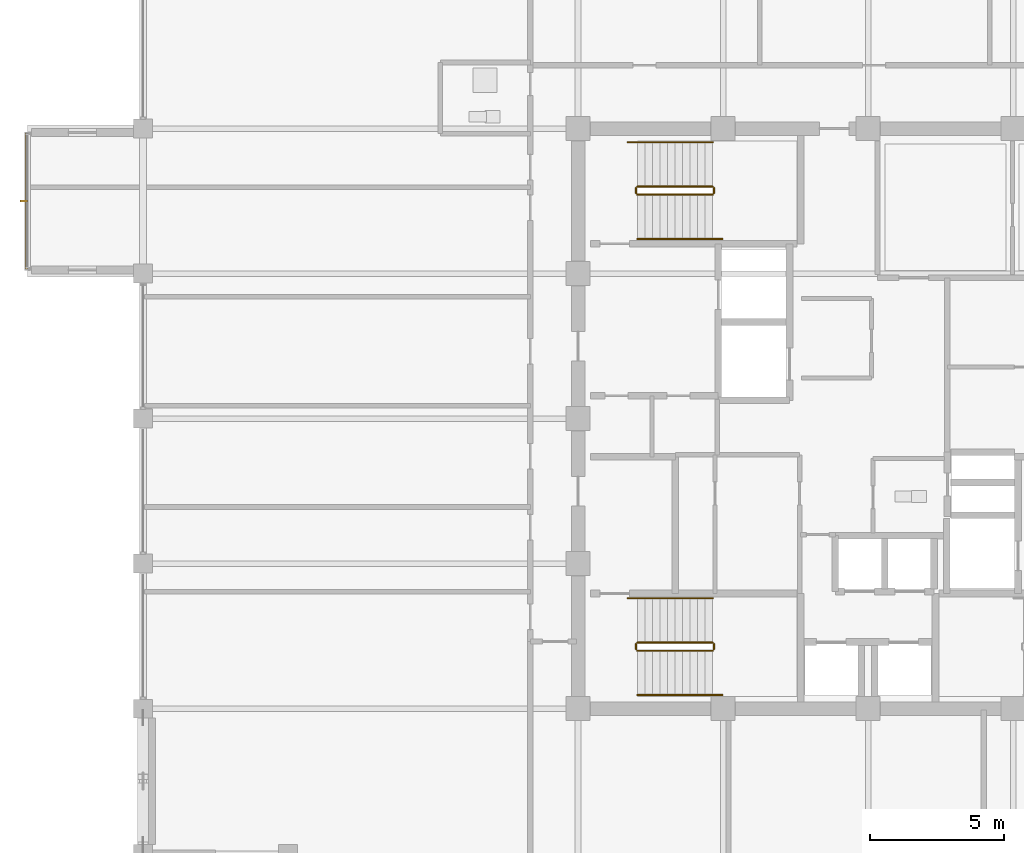
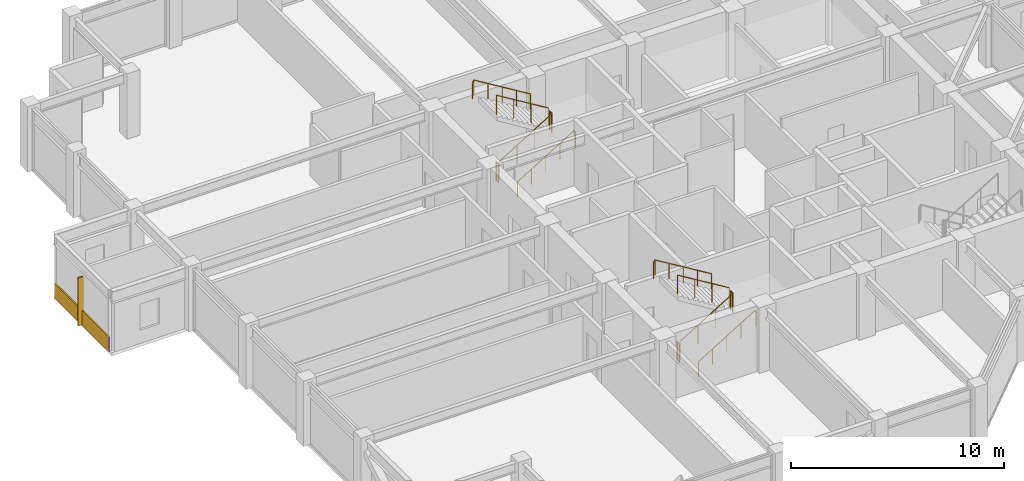
# One storey, part 29 of 31: 12 railings, 1 covering, 1 shading device.
"""IFC4 building model written with IfcOpenShell, lengths in metres."""

from ifc_helpers import new_model, si_unit, direction, frame, origin, origin_2d, place, context, subcontext, project, spatial, rectangle, circle, extrude, material, layer, layer_set, type_object, element, save


model = new_model("IFC4")

# Units and contexts
model_context = context("Model", 3, precision=1e-05, world=origin(), true_north=direction((0.0, 1.0)))
body_context = subcontext(model_context, "Body", "Model", "MODEL_VIEW")
ifc_project = project(units=[si_unit("LENGTHUNIT", "METRE"), si_unit("AREAUNIT", "SQUARE_METRE"), si_unit("VOLUMEUNIT", "CUBIC_METRE"), si_unit("PLANEANGLEUNIT", "RADIAN"), si_unit("MASSUNIT", "GRAM", prefix="KILO")], contexts=[model_context])

# Site, building, storey
site_placement = place(None, origin())
site = spatial("IfcSite", under=ifc_project, at=site_placement, CompositionType="ELEMENT")
building_placement = place(site_placement, origin())
building = spatial("IfcBuilding", under=site, at=building_placement, Name="Surkhivell Harbour Commons", CompositionType="ELEMENT")
storey_placement = place(building_placement, frame((0.0, 0.0, 266.25)))
storey = spatial("IfcBuildingStorey", under=building, at=storey_placement, Name="L69", CompositionType="ELEMENT", Elevation=266.25)

# Covering
ifc_material_1 = material(Name="Cobalt-azure enamelled aluminium cassette panel", Category="aluminium")
ifc_layer = layer(ifc_material_1, 0.072021484375)
ifc_layer_set = layer_set([ifc_layer], Name="Cobalt-azure enamelled aluminium cassette panel")
covering_type = type_object("IfcCoveringType", Name="COV-CLAD-COB", PredefinedType="CLADDING", material=ifc_layer_set)
covering_placement = place(storey_placement, frame((-31.340087890625, 8.10009765625, 0.0), z_axis=(0.0, 0.0, 1.0), x_axis=(1.0, 0.0, 0.0)))
element("IfcCovering", 1, at=covering_placement, inside=storey, type_object=covering_type, Name="L69 Coloured-Panel Box Spandrel Cassette 02", PredefinedType="CLADDING", context=body_context, shape_type="SweptSolid", body=[
    extrude(rectangle(XDim=0.080078125, YDim=5.10009765625, at=origin_2d()), origin(), (0.0, 0.0, 1.0), 0.840087890625),
])

# Railings
ifc_material_2 = material(Name="Galvanised and painted steel S355 guard rail", Category="steel")
railing_type_1 = type_object("IfcRailingType", Name="RAL-ST-GRD1100", PredefinedType="GUARDRAIL", material=ifc_material_2)
railing_1_placement = place(storey_placement, frame((-8.590087890625, 8.340087890625, 0.17041015625)))
element("IfcRailing", 2, at=railing_1_placement, inside=storey, type_object=railing_type_1, Name="L69 ST1 stair guard 1", PredefinedType="GUARDRAIL", context=body_context, shape_type="SweptSolid", body=[
    extrude(circle(Radius=0.02392578125, at=origin_2d()), frame((0.0, 0.0, 1.076171875), z_axis=(0.854169791009, 0.0, 0.51999420009), x_axis=(0.0, 1.0, 0.0)), (0.0, 0.0, 1.0), 3.278076171875),
    extrude(circle(Radius=0.02099609375, at=origin_2d()), origin(), (0.0, 0.0, 1.0), 1.052001953125),
    extrude(circle(Radius=0.02099609375, at=origin_2d()), frame((0.933349609375, 0.0, 0.568115234375)), (0.0, 0.0, 1.0), 1.052001953125),
    extrude(circle(Radius=0.02099609375, at=origin_2d()), frame((1.86669921875, 0.0, 1.136474609375)), (0.0, 0.0, 1.0), 1.052001953125),
    extrude(circle(Radius=0.02099609375, at=origin_2d()), frame((2.800048828125, 0.0, 1.70458984375)), (0.0, 0.0, 1.0), 1.052001953125),
])
railing_2_placement = place(storey_placement, frame((-5.739990234375, 8.389892578125, 1.875)))
element("IfcRailing", 3, at=railing_2_placement, inside=storey, type_object=railing_type_1, Name="L69 ST1 stair guard 2", PredefinedType="GUARDRAIL", context=body_context, shape_type="SweptSolid", body=[
    extrude(circle(Radius=0.02392578125, at=origin_2d()), frame((0.0, 0.0, 1.076171875), z_axis=(0.0, 1.0, 0.0), x_axis=(-1.0, 0.0, 0.0)), (0.0, 0.0, 1.0), 0.2001953125),
    extrude(circle(Radius=0.02099609375, at=origin_2d()), origin(), (0.0, 0.0, 1.0), 1.052001953125),
    extrude(circle(Radius=0.02099609375, at=origin_2d()), frame((0.0, 0.2001953125, 0.0)), (0.0, 0.0, 1.0), 1.052001953125),
])
railing_3_placement = place(storey_placement, frame((-5.7900390625, 8.639892578125, 2.04541015625)))
element("IfcRailing", 4, at=railing_3_placement, inside=storey, type_object=railing_type_1, Name="L69 ST1 stair guard 3", PredefinedType="GUARDRAIL", context=body_context, shape_type="SweptSolid", body=[
    extrude(circle(Radius=0.02392578125, at=origin_2d()), frame((0.0, 0.0, 1.076171875), z_axis=(-0.854169791009, 0.0, 0.51999420009), x_axis=(0.0, -1.0, 0.0)), (0.0, 0.0, 1.0), 3.278076171875),
    extrude(circle(Radius=0.02099609375, at=origin_2d()), origin(), (0.0, 0.0, 1.0), 1.052001953125),
    extrude(circle(Radius=0.02099609375, at=origin_2d()), frame((-0.933349609375, 0.0, 0.568115234375)), (0.0, 0.0, 1.0), 1.052001953125),
    extrude(circle(Radius=0.02099609375, at=origin_2d()), frame((-1.86669921875, 0.0, 1.136474609375)), (0.0, 0.0, 1.0), 1.052001953125),
    extrude(circle(Radius=0.02099609375, at=origin_2d()), frame((-2.800048828125, 0.0, 1.70458984375)), (0.0, 0.0, 1.0), 1.052001953125),
])
railing_4_placement = place(storey_placement, frame((-8.639892578125, 8.389892578125, 0.0)))
element("IfcRailing", 5, at=railing_4_placement, inside=storey, type_object=railing_type_1, Name="L69 ST1 stair guard 4", PredefinedType="GUARDRAIL", context=body_context, shape_type="SweptSolid", body=[
    extrude(circle(Radius=0.02392578125, at=origin_2d()), frame((0.0, 0.0, 1.076171875), z_axis=(0.0, 1.0, 0.0), x_axis=(-1.0, 0.0, 0.0)), (0.0, 0.0, 1.0), 0.2001953125),
    extrude(circle(Radius=0.02099609375, at=origin_2d()), origin(), (0.0, 0.0, 1.0), 1.052001953125),
    extrude(circle(Radius=0.02099609375, at=origin_2d()), frame((0.0, 0.2001953125, 0.0)), (0.0, 0.0, 1.0), 1.052001953125),
])
railing_5_placement = place(storey_placement, frame((-8.590087890625, -8.639892578125, 0.17041015625)))
element("IfcRailing", 6, at=railing_5_placement, inside=storey, type_object=railing_type_1, Name="L69 ST3 stair guard 1", PredefinedType="GUARDRAIL", context=body_context, shape_type="SweptSolid", body=[
    extrude(circle(Radius=0.02392578125, at=origin_2d()), frame((0.0, 0.0, 1.076171875), z_axis=(0.854169791009, 0.0, 0.51999420009), x_axis=(0.0, 1.0, 0.0)), (0.0, 0.0, 1.0), 3.278076171875),
    extrude(circle(Radius=0.02099609375, at=origin_2d()), origin(), (0.0, 0.0, 1.0), 1.052001953125),
    extrude(circle(Radius=0.02099609375, at=origin_2d()), frame((0.933349609375, 0.0, 0.568115234375)), (0.0, 0.0, 1.0), 1.052001953125),
    extrude(circle(Radius=0.02099609375, at=origin_2d()), frame((1.86669921875, 0.0, 1.136474609375)), (0.0, 0.0, 1.0), 1.052001953125),
    extrude(circle(Radius=0.02099609375, at=origin_2d()), frame((2.800048828125, 0.0, 1.70458984375)), (0.0, 0.0, 1.0), 1.052001953125),
])
railing_6_placement = place(storey_placement, frame((-5.739990234375, -8.590087890625, 1.875)))
element("IfcRailing", 7, at=railing_6_placement, inside=storey, type_object=railing_type_1, Name="L69 ST3 stair guard 2", PredefinedType="GUARDRAIL", context=body_context, shape_type="SweptSolid", body=[
    extrude(circle(Radius=0.02392578125, at=origin_2d()), frame((0.0, 0.0, 1.076171875), z_axis=(0.0, 1.0, 0.0), x_axis=(-1.0, 0.0, 0.0)), (0.0, 0.0, 1.0), 0.2001953125),
    extrude(circle(Radius=0.02099609375, at=origin_2d()), origin(), (0.0, 0.0, 1.0), 1.052001953125),
    extrude(circle(Radius=0.02099609375, at=origin_2d()), frame((0.0, 0.2001953125, 0.0)), (0.0, 0.0, 1.0), 1.052001953125),
])
railing_7_placement = place(storey_placement, frame((-5.7900390625, -8.340087890625, 2.04541015625)))
element("IfcRailing", 8, at=railing_7_placement, inside=storey, type_object=railing_type_1, Name="L69 ST3 stair guard 3", PredefinedType="GUARDRAIL", context=body_context, shape_type="SweptSolid", body=[
    extrude(circle(Radius=0.02392578125, at=origin_2d()), frame((0.0, 0.0, 1.076171875), z_axis=(-0.854169791009, 0.0, 0.51999420009), x_axis=(0.0, -1.0, 0.0)), (0.0, 0.0, 1.0), 3.278076171875),
    extrude(circle(Radius=0.02099609375, at=origin_2d()), origin(), (0.0, 0.0, 1.0), 1.052001953125),
    extrude(circle(Radius=0.02099609375, at=origin_2d()), frame((-0.933349609375, 0.0, 0.568115234375)), (0.0, 0.0, 1.0), 1.052001953125),
    extrude(circle(Radius=0.02099609375, at=origin_2d()), frame((-1.86669921875, 0.0, 1.136474609375)), (0.0, 0.0, 1.0), 1.052001953125),
    extrude(circle(Radius=0.02099609375, at=origin_2d()), frame((-2.800048828125, 0.0, 1.70458984375)), (0.0, 0.0, 1.0), 1.052001953125),
])
railing_8_placement = place(storey_placement, frame((-8.639892578125, -8.590087890625, 0.0)))
element("IfcRailing", 9, at=railing_8_placement, inside=storey, type_object=railing_type_1, Name="L69 ST3 stair guard 4", PredefinedType="GUARDRAIL", context=body_context, shape_type="SweptSolid", body=[
    extrude(circle(Radius=0.02392578125, at=origin_2d()), frame((0.0, 0.0, 1.076171875), z_axis=(0.0, 1.0, 0.0), x_axis=(-1.0, 0.0, 0.0)), (0.0, 0.0, 1.0), 0.2001953125),
    extrude(circle(Radius=0.02099609375, at=origin_2d()), origin(), (0.0, 0.0, 1.0), 1.052001953125),
    extrude(circle(Radius=0.02099609375, at=origin_2d()), frame((0.0, 0.2001953125, 0.0)), (0.0, 0.0, 1.0), 1.052001953125),
])
ifc_material_3 = material(Name="Brushed stainless steel S355 handrail", Category="steel")
railing_type_2 = type_object("IfcRailingType", Name="RAL-ST-HND900", PredefinedType="HANDRAIL", material=ifc_material_3)
railing_9_placement = place(storey_placement, frame((-8.590087890625, 6.68994140625, 0.17041015625)))
element("IfcRailing", 10, at=railing_9_placement, inside=storey, type_object=railing_type_2, Name="L69 ST1 stair handrail 1", PredefinedType="HANDRAIL", context=body_context, shape_type="SweptSolid", body=[
    extrude(circle(Radius=0.02392578125, at=origin_2d()), frame((0.0, 0.0, 0.8759765625), z_axis=(0.854177636135, 0.0, 0.519981313056), x_axis=(0.0, 1.0, 0.0)), (0.0, 0.0, 1.0), 3.60595703125),
    extrude(circle(Radius=0.02392578125, at=origin_2d()), frame((3.080078125, 0.0, 2.7509765625), z_axis=(0.425297416671, 0.0, -0.905053648892), x_axis=(0.0, 1.0, 0.0)), (0.0, 0.0, 1.0), 0.188232421875),
    extrude(circle(Radius=0.02099609375, at=origin_2d()), origin(), (0.0, 0.0, 1.0), 0.851806640625),
    extrude(circle(Radius=0.02099609375, at=origin_2d()), frame((0.77001953125, 0.0, 0.46875)), (0.0, 0.0, 1.0), 0.851806640625),
    extrude(circle(Radius=0.02099609375, at=origin_2d()), frame((1.5400390625, 0.0, 0.9375)), (0.0, 0.0, 1.0), 0.851806640625),
    extrude(circle(Radius=0.02099609375, at=origin_2d()), frame((2.31005859375, 0.0, 1.40625)), (0.0, 0.0, 1.0), 0.851806640625),
    extrude(circle(Radius=0.02099609375, at=origin_2d()), frame((3.080078125, 0.0, 1.875)), (0.0, 0.0, 1.0), 0.851806640625),
    extrude(circle(Radius=0.02099609375, at=origin_2d()), frame((3.16015625, 0.0, 1.70458984375)), (0.0, 0.0, 1.0), 0.851806640625),
])
railing_10_placement = place(storey_placement, frame((-5.7900390625, 10.2900390625, 2.04541015625)))
element("IfcRailing", 11, at=railing_10_placement, inside=storey, type_object=railing_type_2, Name="L69 ST1 stair handrail 2", PredefinedType="HANDRAIL", context=body_context, shape_type="SweptSolid", body=[
    extrude(circle(Radius=0.02392578125, at=origin_2d()), frame((0.0, 0.0, 0.8759765625), z_axis=(-0.854177636135, 0.0, 0.519981313056), x_axis=(0.0, -1.0, 0.0)), (0.0, 0.0, 1.0), 3.60595703125),
    extrude(circle(Radius=0.02392578125, at=origin_2d()), frame((-3.080078125, 0.0, 2.7509765625), z_axis=(-0.424234432967, 0.0, -0.905552398199), x_axis=(0.0, -1.0, 0.0)), (0.0, 0.0, 1.0), 0.188232421875),
    extrude(circle(Radius=0.02099609375, at=origin_2d()), origin(), (0.0, 0.0, 1.0), 0.851806640625),
    extrude(circle(Radius=0.02099609375, at=origin_2d()), frame((-0.77001953125, 0.0, 0.46875)), (0.0, 0.0, 1.0), 0.851806640625),
    extrude(circle(Radius=0.02099609375, at=origin_2d()), frame((-1.5400390625, 0.0, 0.9375)), (0.0, 0.0, 1.0), 0.851806640625),
    extrude(circle(Radius=0.02099609375, at=origin_2d()), frame((-2.31005859375, 0.0, 1.40625)), (0.0, 0.0, 1.0), 0.851806640625),
    extrude(circle(Radius=0.02099609375, at=origin_2d()), frame((-3.080078125, 0.0, 1.875)), (0.0, 0.0, 1.0), 0.851806640625),
    extrude(circle(Radius=0.02099609375, at=origin_2d()), frame((-3.159912109375, 0.0, 1.70458984375)), (0.0, 0.0, 1.0), 0.851806640625),
])
railing_11_placement = place(storey_placement, frame((-8.590087890625, -10.2900390625, 0.17041015625)))
element("IfcRailing", 12, at=railing_11_placement, inside=storey, type_object=railing_type_2, Name="L69 ST3 stair handrail 1", PredefinedType="HANDRAIL", context=body_context, shape_type="SweptSolid", body=[
    extrude(circle(Radius=0.02392578125, at=origin_2d()), frame((0.0, 0.0, 0.8759765625), z_axis=(0.854177636135, 0.0, 0.519981313056), x_axis=(0.0, 1.0, 0.0)), (0.0, 0.0, 1.0), 3.60595703125),
    extrude(circle(Radius=0.02392578125, at=origin_2d()), frame((3.080078125, 0.0, 2.7509765625), z_axis=(0.425297416671, 0.0, -0.905053648892), x_axis=(0.0, 1.0, 0.0)), (0.0, 0.0, 1.0), 0.188232421875),
    extrude(circle(Radius=0.02099609375, at=origin_2d()), origin(), (0.0, 0.0, 1.0), 0.851806640625),
    extrude(circle(Radius=0.02099609375, at=origin_2d()), frame((0.77001953125, 0.0, 0.46875)), (0.0, 0.0, 1.0), 0.851806640625),
    extrude(circle(Radius=0.02099609375, at=origin_2d()), frame((1.5400390625, 0.0, 0.9375)), (0.0, 0.0, 1.0), 0.851806640625),
    extrude(circle(Radius=0.02099609375, at=origin_2d()), frame((2.31005859375, 0.0, 1.40625)), (0.0, 0.0, 1.0), 0.851806640625),
    extrude(circle(Radius=0.02099609375, at=origin_2d()), frame((3.080078125, 0.0, 1.875)), (0.0, 0.0, 1.0), 0.851806640625),
    extrude(circle(Radius=0.02099609375, at=origin_2d()), frame((3.16015625, 0.0, 1.70458984375)), (0.0, 0.0, 1.0), 0.851806640625),
])
railing_12_placement = place(storey_placement, frame((-5.7900390625, -6.68994140625, 2.04541015625)))
element("IfcRailing", 13, at=railing_12_placement, inside=storey, type_object=railing_type_2, Name="L69 ST3 stair handrail 2", PredefinedType="HANDRAIL", context=body_context, shape_type="SweptSolid", body=[
    extrude(circle(Radius=0.02392578125, at=origin_2d()), frame((0.0, 0.0, 0.8759765625), z_axis=(-0.854177636135, 0.0, 0.519981313056), x_axis=(0.0, -1.0, 0.0)), (0.0, 0.0, 1.0), 3.60595703125),
    extrude(circle(Radius=0.02392578125, at=origin_2d()), frame((-3.080078125, 0.0, 2.7509765625), z_axis=(-0.424234432967, 0.0, -0.905552398199), x_axis=(0.0, -1.0, 0.0)), (0.0, 0.0, 1.0), 0.188232421875),
    extrude(circle(Radius=0.02099609375, at=origin_2d()), origin(), (0.0, 0.0, 1.0), 0.851806640625),
    extrude(circle(Radius=0.02099609375, at=origin_2d()), frame((-0.77001953125, 0.0, 0.46875)), (0.0, 0.0, 1.0), 0.851806640625),
    extrude(circle(Radius=0.02099609375, at=origin_2d()), frame((-1.5400390625, 0.0, 0.9375)), (0.0, 0.0, 1.0), 0.851806640625),
    extrude(circle(Radius=0.02099609375, at=origin_2d()), frame((-2.31005859375, 0.0, 1.40625)), (0.0, 0.0, 1.0), 0.851806640625),
    extrude(circle(Radius=0.02099609375, at=origin_2d()), frame((-3.080078125, 0.0, 1.875)), (0.0, 0.0, 1.0), 0.851806640625),
    extrude(circle(Radius=0.02099609375, at=origin_2d()), frame((-3.159912109375, 0.0, 1.70458984375)), (0.0, 0.0, 1.0), 0.851806640625),
])

# Shading device
ifc_material_4 = material(Name="Champagne anodised aluminium solar fin", Category="aluminium")
shading_device_type = type_object("IfcShadingDeviceType", Name="SHD-FIN-SLIM", PredefinedType="USERDEFINED", material=ifc_material_4)
shading_device_placement = place(storey_placement, frame((-31.43994140625, 8.10009765625, 0.0048828125), z_axis=(0.0, 0.0, 1.0), x_axis=(1.0, 0.0, 0.0)))
element("IfcShadingDevice", 14, at=shading_device_placement, inside=storey, type_object=shading_device_type, Name="L69 Coloured-Box Solar Fin 02", ObjectType="FIN", PredefinedType="USERDEFINED", context=body_context, shape_type="SweptSolid", body=[
    extrude(rectangle(XDim=0.280029296875, YDim=0.080078125, at=origin_2d()), origin(), (0.0, 0.0, 1.0), 2.75),
])

save(model, "model.ifc")
